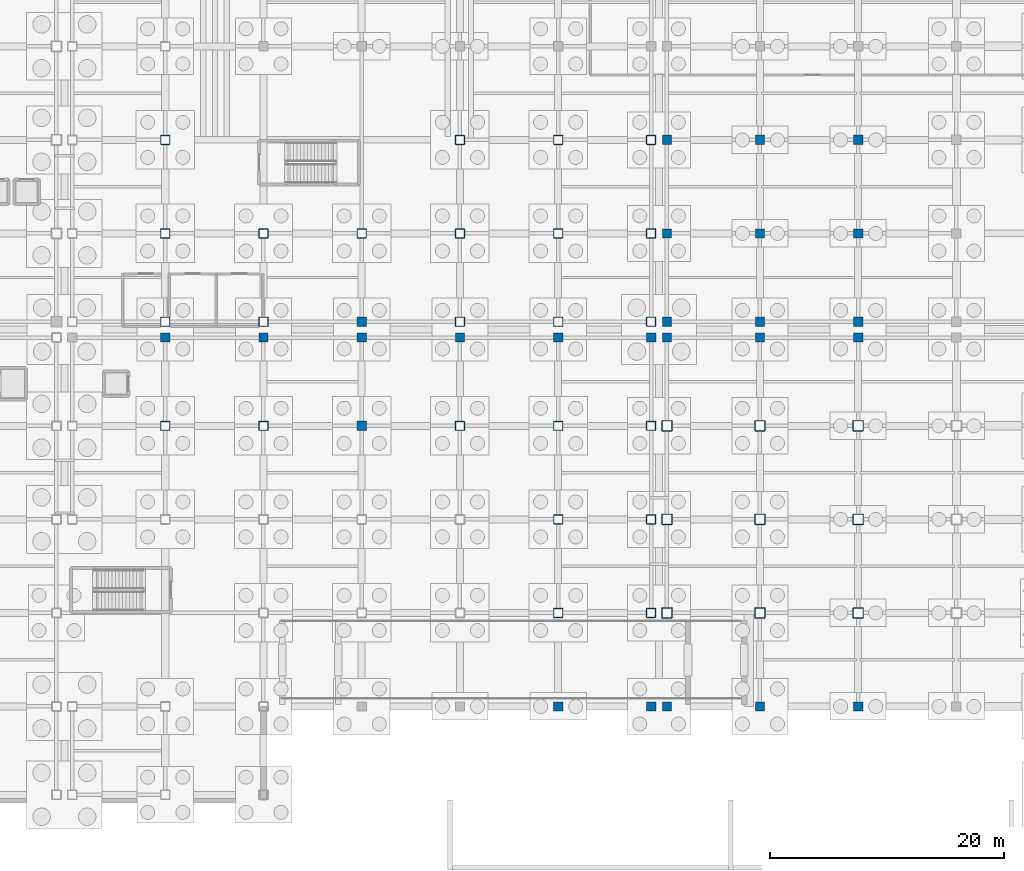
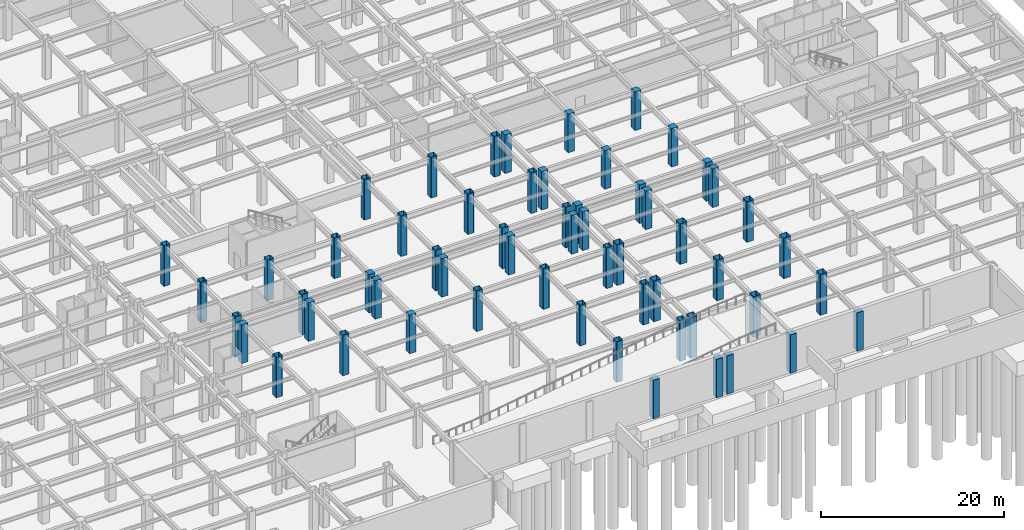
# One storey, part 16 of 55: 58 columns.
"""IFC4 building model written with IfcOpenShell, lengths in metres."""

from ifc_helpers import new_model, si_unit, direction, frame, origin, origin_2d, place, context, subcontext, project, spatial, rectangle, hollow_rectangle, extrude, material, material_profile, profile_set, type_object, element, save


model = new_model("IFC4")

# Units and contexts
model_context = context("Model", 3, precision=1e-05, world=origin(), true_north=direction((0.0, 1.0)))
body_context = subcontext(model_context, "Body", "Model", "MODEL_VIEW")
ifc_project = project(units=[si_unit("LENGTHUNIT", "METRE"), si_unit("AREAUNIT", "SQUARE_METRE"), si_unit("VOLUMEUNIT", "CUBIC_METRE"), si_unit("PLANEANGLEUNIT", "RADIAN"), si_unit("MASSUNIT", "GRAM", prefix="KILO")], contexts=[model_context])

# Site, building, storey
site_placement = place(None, origin())
site = spatial("IfcSite", under=ifc_project, at=site_placement, CompositionType="ELEMENT")
building_placement = place(site_placement, origin())
building = spatial("IfcBuilding", under=site, at=building_placement, Name="Kazehara Bluff Congress Hotel", CompositionType="ELEMENT")
storey_placement = place(building_placement, frame((0.0, 0.0, -5.39990234375)))
storey = spatial("IfcBuildingStorey", under=building, at=storey_placement, Name="B1", CompositionType="ELEMENT", Elevation=-5.39990234375)

# Columns
ifc_material_1 = material(Name="Steel BCR295", Category="steel")
ifc_material_profile_1 = material_profile(ifc_material_1, hollow_rectangle(XDim=0.89990234375, YDim=0.89990234375, WallThickness=0.031982421875, InnerFilletRadius=0.031982421875, OuterFilletRadius=0.06396484375, at=origin_2d()))
ifc_profile_set_1 = profile_set([ifc_material_profile_1], Name="Steel BCR295")
column_type_1 = type_object("IfcColumnType", Name="TP-C-01", PredefinedType="COLUMN", material=ifc_profile_set_1)
for number, where, z_axis, x_axis, name in (
    (1, (110.550048828125, 16.0, 0.0), (0.0, 0.0, 1.0), (1.0, 0.0, 0.0), "B1 mega-column C-01 (110.55,16.00)"),
    (2, (110.550048828125, 24.0, 0.0), (0.0, 0.0, 1.0), (1.0, 0.0, 0.0), "B1 mega-column C-01 (110.55,24.00)"),
    (3, (110.550048828125, 32.0, 0.0), (0.0, 0.0, 1.0), (1.0, 0.0, 0.0), "B1 mega-column C-01 (110.55,32.00)"),
    (4, (118.5, 16.0, 0.0), (0.0, 0.0, 1.0), (1.0, 0.0, 0.0), "B1 mega-column C-01 (118.50,16.00)"),
    (5, (118.5, 24.0, 0.0), (0.0, 0.0, 1.0), (1.0, 0.0, 0.0), "B1 mega-column C-01 (118.50,24.00)"),
    (6, (118.5, 32.0, 0.0), (0.0, 0.0, 1.0), (1.0, 0.0, 0.0), "B1 mega-column C-01 (118.50,32.00)"),
    (7, (126.89990234375, 16.0, 0.0), (0.0, 0.0, 1.0), (1.0, 0.0, 0.0), "B1 mega-column C-01 (126.90,16.00)"),
    (8, (126.89990234375, 24.0, 0.0), (0.0, 0.0, 1.0), (1.0, 0.0, 0.0), "B1 mega-column C-01 (126.90,24.00)"),
    (9, (126.89990234375, 32.0, 0.0), (0.0, 0.0, 1.0), (1.0, 0.0, 0.0), "B1 mega-column C-01 (126.90,32.00)"),
):
    element("IfcColumn", number, at=place(storey_placement, frame(where, z_axis=z_axis, x_axis=x_axis)), inside=storey, type_object=column_type_1, Name=name, PredefinedType="COLUMN", context=body_context, shape_type="SweptSolid", body=[
        extrude(hollow_rectangle(XDim=0.89990234375, YDim=0.89990234375, WallThickness=0.031982421875, InnerFilletRadius=0.031982421875, OuterFilletRadius=0.06396484375, at=origin_2d()), origin(), (0.0, 0.0, 1.0), 5.39990234375),
    ])
ifc_material_2 = material(Name="Steel BCR295", Category="steel")
ifc_material_profile_2 = material_profile(ifc_material_2, hollow_rectangle(XDim=0.800048828125, YDim=0.800048828125, WallThickness=0.031982421875, InnerFilletRadius=0.031982421875, OuterFilletRadius=0.06396484375, at=origin_2d()))
ifc_profile_set_2 = profile_set([ifc_material_profile_2], Name="Steel BCR295")
column_type_2 = type_object("IfcColumnType", Name="TP-C-02", PredefinedType="COLUMN", material=ifc_profile_set_2)
for number, where, z_axis, x_axis, name in (
    (10, (67.64990234375, 32.0, 0.0), (0.0, 0.0, 1.0), (1.0, 0.0, 0.0), "B1 column C-02 (67.65,32.00)"),
    (11, (67.64990234375, 40.89990234375, 0.0), (0.0, 0.0, 1.0), (1.0, 0.0, 0.0), "B1 column C-02 (67.65,40.90)"),
    (12, (67.64990234375, 48.449951171875, 0.0), (0.0, 0.0, 1.0), (1.0, 0.0, 0.0), "B1 column C-02 (67.65,48.45)"),
    (13, (67.64990234375, 56.449951171875, 0.0), (0.0, 0.0, 1.0), (1.0, 0.0, 0.0), "B1 column C-02 (67.65,56.45)"),
    (14, (76.050048828125, 32.0, 0.0), (0.0, 0.0, 1.0), (1.0, 0.0, 0.0), "B1 column C-02 (76.05,32.00)"),
    (15, (76.050048828125, 40.89990234375, 0.0), (0.0, 0.0, 1.0), (1.0, 0.0, 0.0), "B1 column C-02 (76.05,40.90)"),
    (16, (76.050048828125, 48.449951171875, 0.0), (0.0, 0.0, 1.0), (1.0, 0.0, 0.0), "B1 column C-02 (76.05,48.45)"),
    (17, (84.449951171875, 48.449951171875, 0.0), (0.0, 0.0, 1.0), (1.0, 0.0, 0.0), "B1 column C-02 (84.45,48.45)"),
    (18, (92.85009765625, 32.0, 0.0), (0.0, 0.0, 1.0), (1.0, 0.0, 0.0), "B1 column C-02 (92.85,32.00)"),
    (19, (92.85009765625, 40.89990234375, 0.0), (0.0, 0.0, 1.0), (1.0, 0.0, 0.0), "B1 column C-02 (92.85,40.90)"),
    (20, (92.85009765625, 48.449951171875, 0.0), (0.0, 0.0, 1.0), (1.0, 0.0, 0.0), "B1 column C-02 (92.85,48.45)"),
    (21, (92.85009765625, 56.449951171875, 0.0), (0.0, 0.0, 1.0), (1.0, 0.0, 0.0), "B1 column C-02 (92.85,56.45)"),
    (22, (101.25, 16.0, 0.0), (0.0, 0.0, 1.0), (1.0, 0.0, 0.0), "B1 column C-02 (101.25,16.00)"),
    (23, (101.25, 24.0, 0.0), (0.0, 0.0, 1.0), (1.0, 0.0, 0.0), "B1 column C-02 (101.25,24.00)"),
    (24, (101.25, 32.0, 0.0), (0.0, 0.0, 1.0), (1.0, 0.0, 0.0), "B1 column C-02 (101.25,32.00)"),
    (25, (101.25, 40.89990234375, 0.0), (0.0, 0.0, 1.0), (1.0, 0.0, 0.0), "B1 column C-02 (101.25,40.90)"),
    (26, (101.25, 48.449951171875, 0.0), (0.0, 0.0, 1.0), (1.0, 0.0, 0.0), "B1 column C-02 (101.25,48.45)"),
    (27, (101.25, 56.449951171875, 0.0), (0.0, 0.0, 1.0), (1.0, 0.0, 0.0), "B1 column C-02 (101.25,56.45)"),
    (28, (109.199951171875, 16.0, 0.0), (0.0, 0.0, 1.0), (1.0, 0.0, 0.0), "B1 column C-02 (109.20,16.00)"),
    (29, (109.199951171875, 24.0, 0.0), (0.0, 0.0, 1.0), (1.0, 0.0, 0.0), "B1 column C-02 (109.20,24.00)"),
    (30, (109.199951171875, 32.0, 0.0), (0.0, 0.0, 1.0), (1.0, 0.0, 0.0), "B1 column C-02 (109.20,32.00)"),
    (31, (109.199951171875, 40.89990234375, 0.0), (0.0, 0.0, 1.0), (1.0, 0.0, 0.0), "B1 column C-02 (109.20,40.90)"),
    (32, (109.199951171875, 48.449951171875, 0.0), (0.0, 0.0, 1.0), (1.0, 0.0, 0.0), "B1 column C-02 (109.20,48.45)"),
    (33, (109.199951171875, 56.449951171875, 0.0), (0.0, 0.0, 1.0), (1.0, 0.0, 0.0), "B1 column C-02 (109.20,56.45)"),
):
    element("IfcColumn", number, at=place(storey_placement, frame(where, z_axis=z_axis, x_axis=x_axis)), inside=storey, type_object=column_type_2, Name=name, PredefinedType="COLUMN", context=body_context, shape_type="SweptSolid", body=[
        extrude(hollow_rectangle(XDim=0.800048828125, YDim=0.800048828125, WallThickness=0.031982421875, InnerFilletRadius=0.031982421875, OuterFilletRadius=0.06396484375, at=origin_2d()), origin(), (0.0, 0.0, 1.0), 5.39990234375),
    ])
ifc_material_3 = material(Name="Concrete C40/50", Category="concrete")
ifc_material_profile_3 = material_profile(ifc_material_3, rectangle(XDim=0.800048828125, YDim=0.800048828125, at=origin_2d()))
ifc_profile_set_3 = profile_set([ifc_material_profile_3], Name="Concrete C40/50")
column_type_3 = type_object("IfcColumnType", Name="TP-C-13", PredefinedType="COLUMN", material=ifc_profile_set_3)
for number, where, z_axis, x_axis, name in (
    (34, (67.64990234375, 39.550048828125, 0.0), (0.0, 0.0, 1.0), (1.0, 0.0, 0.0), "B1 column C-13 (67.65,39.55)"),
    (35, (76.050048828125, 39.550048828125, 0.0), (0.0, 0.0, 1.0), (1.0, 0.0, 0.0), "B1 column C-13 (76.05,39.55)"),
    (36, (84.449951171875, 32.0, 0.0), (0.0, 0.0, 1.0), (1.0, 0.0, 0.0), "B1 column C-13 (84.45,32.00)"),
    (37, (84.449951171875, 39.550048828125, 0.0), (0.0, 0.0, 1.0), (1.0, 0.0, 0.0), "B1 column C-13 (84.45,39.55)"),
    (38, (84.449951171875, 40.89990234375, 0.0), (0.0, 0.0, 1.0), (1.0, 0.0, 0.0), "B1 column C-13 (84.45,40.90)"),
    (39, (92.85009765625, 39.550048828125, 0.0), (0.0, 0.0, 1.0), (1.0, 0.0, 0.0), "B1 column C-13 (92.85,39.55)"),
    (40, (101.25, 8.0, 0.0), (0.0, 0.0, 1.0), (1.0, 0.0, 0.0), "B1 column C-13 (101.25,8.00)"),
    (41, (101.25, 39.550048828125, 0.0), (0.0, 0.0, 1.0), (1.0, 0.0, 0.0), "B1 column C-13 (101.25,39.55)"),
    (42, (109.199951171875, 8.0, 0.0), (0.0, 0.0, 1.0), (1.0, 0.0, 0.0), "B1 column C-13 (109.20,8.00)"),
    (43, (109.199951171875, 39.550048828125, 0.0), (0.0, 0.0, 1.0), (1.0, 0.0, 0.0), "B1 column C-13 (109.20,39.55)"),
    (44, (110.550048828125, 8.0, 0.0), (0.0, 0.0, 1.0), (1.0, 0.0, 0.0), "B1 column C-13 (110.55,8.00)"),
    (45, (110.550048828125, 39.550048828125, 0.0), (0.0, 0.0, 1.0), (1.0, 0.0, 0.0), "B1 column C-13 (110.55,39.55)"),
    (46, (110.550048828125, 40.89990234375, 0.0), (0.0, 0.0, 1.0), (1.0, 0.0, 0.0), "B1 column C-13 (110.55,40.90)"),
    (47, (110.550048828125, 48.449951171875, 0.0), (0.0, 0.0, 1.0), (1.0, 0.0, 0.0), "B1 column C-13 (110.55,48.45)"),
    (48, (110.550048828125, 56.449951171875, 0.0), (0.0, 0.0, 1.0), (1.0, 0.0, 0.0), "B1 column C-13 (110.55,56.45)"),
    (49, (118.5, 8.0, 0.0), (0.0, 0.0, 1.0), (1.0, 0.0, 0.0), "B1 column C-13 (118.50,8.00)"),
    (50, (118.5, 39.550048828125, 0.0), (0.0, 0.0, 1.0), (1.0, 0.0, 0.0), "B1 column C-13 (118.50,39.55)"),
    (51, (118.5, 40.89990234375, 0.0), (0.0, 0.0, 1.0), (1.0, 0.0, 0.0), "B1 column C-13 (118.50,40.90)"),
    (52, (118.5, 48.449951171875, 0.0), (0.0, 0.0, 1.0), (1.0, 0.0, 0.0), "B1 column C-13 (118.50,48.45)"),
    (53, (118.5, 56.449951171875, 0.0), (0.0, 0.0, 1.0), (1.0, 0.0, 0.0), "B1 column C-13 (118.50,56.45)"),
    (54, (126.89990234375, 8.0, 0.0), (0.0, 0.0, 1.0), (1.0, 0.0, 0.0), "B1 column C-13 (126.90,8.00)"),
    (55, (126.89990234375, 39.550048828125, 0.0), (0.0, 0.0, 1.0), (1.0, 0.0, 0.0), "B1 column C-13 (126.90,39.55)"),
    (56, (126.89990234375, 40.89990234375, 0.0), (0.0, 0.0, 1.0), (1.0, 0.0, 0.0), "B1 column C-13 (126.90,40.90)"),
    (57, (126.89990234375, 48.449951171875, 0.0), (0.0, 0.0, 1.0), (1.0, 0.0, 0.0), "B1 column C-13 (126.90,48.45)"),
    (58, (126.89990234375, 56.449951171875, 0.0), (0.0, 0.0, 1.0), (1.0, 0.0, 0.0), "B1 column C-13 (126.90,56.45)"),
):
    element("IfcColumn", number, at=place(storey_placement, frame(where, z_axis=z_axis, x_axis=x_axis)), inside=storey, type_object=column_type_3, Name=name, PredefinedType="COLUMN", context=body_context, shape_type="SweptSolid", body=[
        extrude(rectangle(XDim=0.800048828125, YDim=0.800048828125, at=origin_2d()), origin(), (0.0, 0.0, 1.0), 5.119873046875),
    ])

save(model, "model.ifc")
